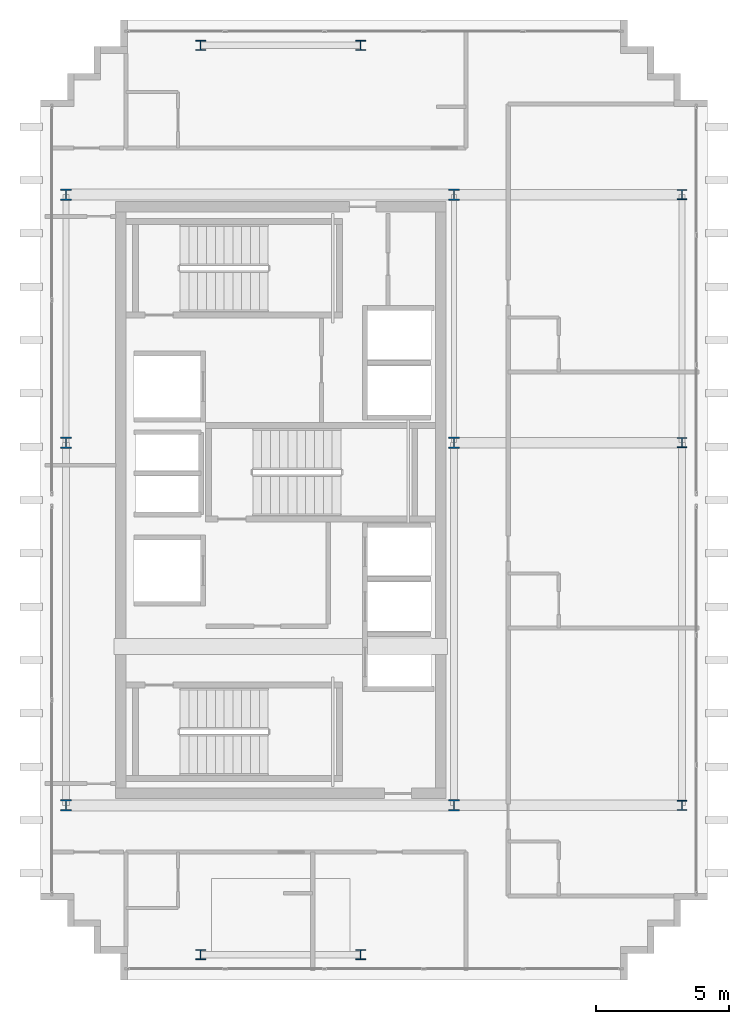
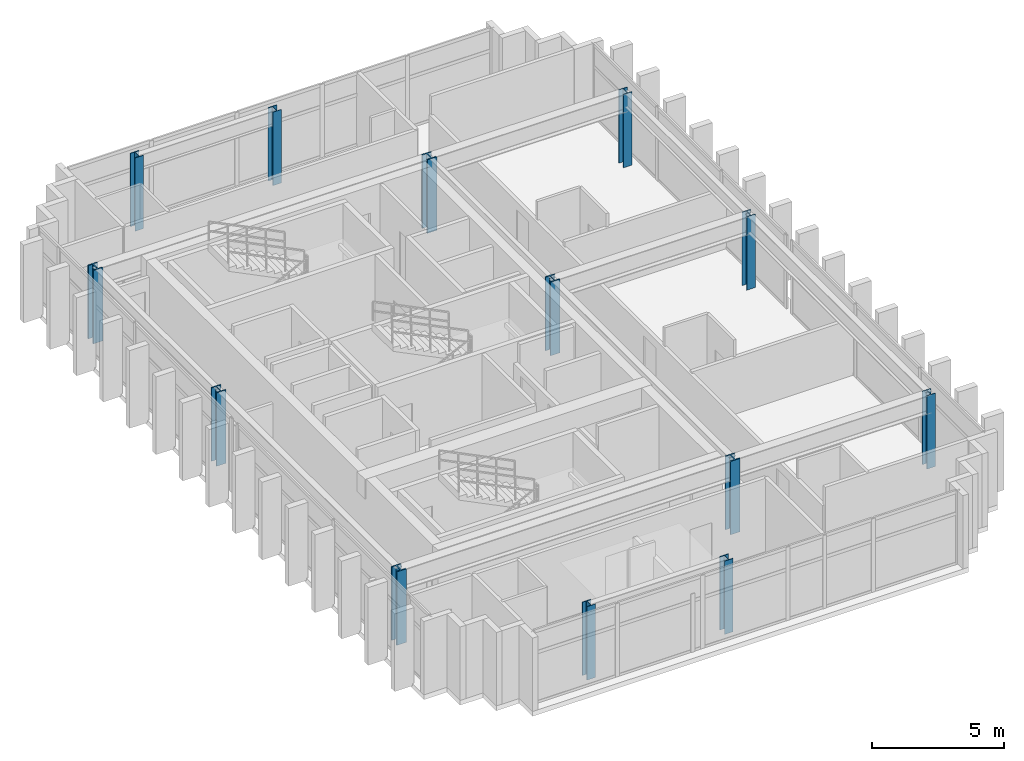
# One storey, part 1 of 15: 13 columns.
"""IFC4 building model written with IfcOpenShell, lengths in metres."""

from ifc_helpers import new_model, si_unit, direction, frame, origin, origin_2d, place, context, subcontext, project, spatial, i_section, extrude, source, transform, mapped, material, material_profile, profile_set, type_object, element, save


model = new_model("IFC4")

# Units and contexts
model_context = context("Model", 3, precision=1e-05, world=origin(), true_north=direction((0.0, 1.0)))
body_context = subcontext(model_context, "Body", "Model", "MODEL_VIEW")
ifc_project = project(units=[si_unit("LENGTHUNIT", "METRE"), si_unit("AREAUNIT", "SQUARE_METRE"), si_unit("VOLUMEUNIT", "CUBIC_METRE"), si_unit("PLANEANGLEUNIT", "RADIAN"), si_unit("MASSUNIT", "GRAM", prefix="KILO")], contexts=[model_context])

# Site, building, storey
site_placement = place(None, origin())
site = spatial("IfcSite", under=ifc_project, at=site_placement, CompositionType="ELEMENT")
building_placement = place(site_placement, origin())
building = spatial("IfcBuilding", under=site, at=building_placement, Name="Ocotamira Hotel", CompositionType="ELEMENT")
storey_placement = place(building_placement, frame((0.0, 0.0, 279.60009765625)))
storey = spatial("IfcBuildingStorey", under=building, at=storey_placement, Name="L71", CompositionType="ELEMENT", Elevation=279.60009765625)

# Columns
ifc_material_1 = material(Name="Steel ASTM A913 Grade 65", Category="steel")
ifc_material_profile_1 = material_profile(ifc_material_1, i_section(OverallWidth=0.412109375, OverallDepth=0.43505859375, WebThickness=0.035888671875, FlangeThickness=0.057373046875, FilletRadius=0.02490234375, at=origin_2d()), Name="W14X311")
ifc_profile_set_1 = profile_set([ifc_material_profile_1], Name="Steel ASTM A913 Grade 65")
column_type_1 = type_object("IfcColumnType", Name="COL-W14X311", PredefinedType="COLUMN", material=ifc_profile_set_1)
shared_shape_1 = source(origin(), body_context, "Body", "SweptSolid", [
    extrude(i_section(OverallWidth=0.412109375, OverallDepth=0.43505859375, WebThickness=0.035888671875, FlangeThickness=0.057373046875, FilletRadius=0.02490234375, at=origin_2d()), origin(), (0.0, 0.0, 1.0), 3.3798828125),
])
for number, where, z_axis, x_axis, name in (
    (1, (8.949951171875, 14.550048828125, 0.0), (0.0, 0.0, 1.0), (1.0, 0.0, 0.0), "L71 Column TW8_14"),
    (2, (23.5, 14.550048828125, 0.0), (0.0, 0.0, 1.0), (1.0, 0.0, 0.0), "L71 Column TW23_14"),
    (3, (8.949951171875, 28.14990234375, 0.0), (0.0, 0.0, 1.0), (1.0, 0.0, 0.0), "L71 Column TW8_28"),
    (4, (23.5, 28.14990234375, 0.0), (0.0, 0.0, 1.0), (1.0, 0.0, 0.0), "L71 Column TW23_28"),
    (5, (8.949951171875, 37.449951171875, 0.0), (0.0, 0.0, 1.0), (1.0, 0.0, 0.0), "L71 Column TW8_37"),
    (6, (23.5, 37.449951171875, 0.0), (0.0, 0.0, 1.0), (1.0, 0.0, 0.0), "L71 Column TW23_37"),
):
    element("IfcColumn", number, at=place(storey_placement, frame(where, z_axis=z_axis, x_axis=x_axis)), inside=storey, type_object=column_type_1, Name=name, PredefinedType="COLUMN", context=body_context, shape_type="MappedRepresentation", body=[
        mapped(shared_shape_1, transform((0.0, 0.0, 0.0), scale=1.0)),
    ])
ifc_material_2 = material(Name="Steel ASTM A992 Grade 50", Category="steel")
ifc_material_profile_2 = material_profile(ifc_material_2, i_section(OverallWidth=0.3740234375, OverallDepth=0.373046875, WebThickness=0.016357421875, FlangeThickness=0.026123046875, FilletRadius=0.02490234375, at=origin_2d()), Name="W14X132")
ifc_profile_set_2 = profile_set([ifc_material_profile_2], Name="Steel ASTM A992 Grade 50")
column_type_2 = type_object("IfcColumnType", Name="COL-W14X132", PredefinedType="COLUMN", material=ifc_profile_set_2)
shared_shape_2 = source(origin(), body_context, "Body", "SweptSolid", [
    extrude(i_section(OverallWidth=0.3740234375, OverallDepth=0.373046875, WebThickness=0.016357421875, FlangeThickness=0.026123046875, FilletRadius=0.02490234375, at=origin_2d()), origin(), (0.0, 0.0, 1.0), 3.3798828125),
])
for number, where, z_axis, x_axis, name in (
    (7, (14.0, 8.949951171875, 0.0), (0.0, 0.0, 1.0), (1.0, 0.0, 0.0), "L71 Column NSP1_14"),
    (8, (20.0, 8.949951171875, 0.0), (0.0, 0.0, 1.0), (1.0, 0.0, 0.0), "L71 Column NSP1_20"),
    (9, (14.0, 43.050048828125, 0.0), (0.0, 0.0, 1.0), (1.0, 0.0, 0.0), "L71 Column NSP2_14"),
    (10, (20.0, 43.050048828125, 0.0), (0.0, 0.0, 1.0), (1.0, 0.0, 0.0), "L71 Column NSP2_20"),
    (11, (32.050048828125, 14.550048828125, 0.0), (0.0, 0.0, 1.0), (1.0, 0.0, 0.0), "L71 Column WPE32_14"),
    (12, (32.050048828125, 28.14990234375, 0.0), (0.0, 0.0, 1.0), (1.0, 0.0, 0.0), "L71 Column WPE32_28"),
    (13, (32.050048828125, 37.449951171875, 0.0), (0.0, 0.0, 1.0), (1.0, 0.0, 0.0), "L71 Column WPE32_37"),
):
    element("IfcColumn", number, at=place(storey_placement, frame(where, z_axis=z_axis, x_axis=x_axis)), inside=storey, type_object=column_type_2, Name=name, PredefinedType="COLUMN", context=body_context, shape_type="MappedRepresentation", body=[
        mapped(shared_shape_2, transform((0.0, 0.0, 0.0), scale=1.0)),
    ])

save(model, "model.ifc")
